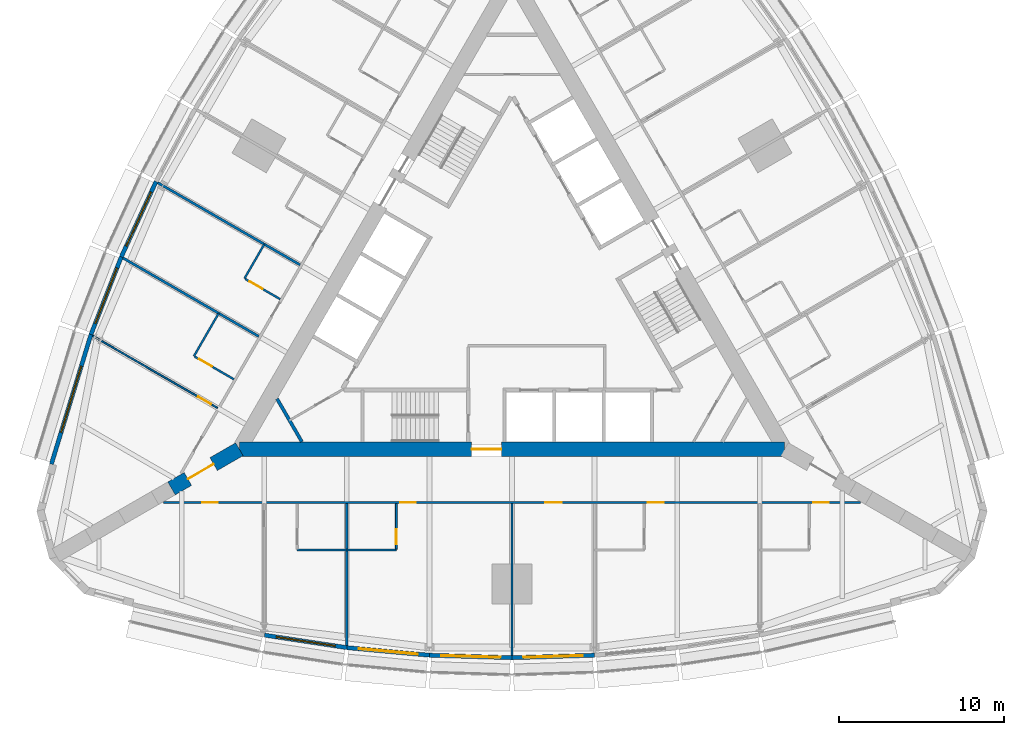
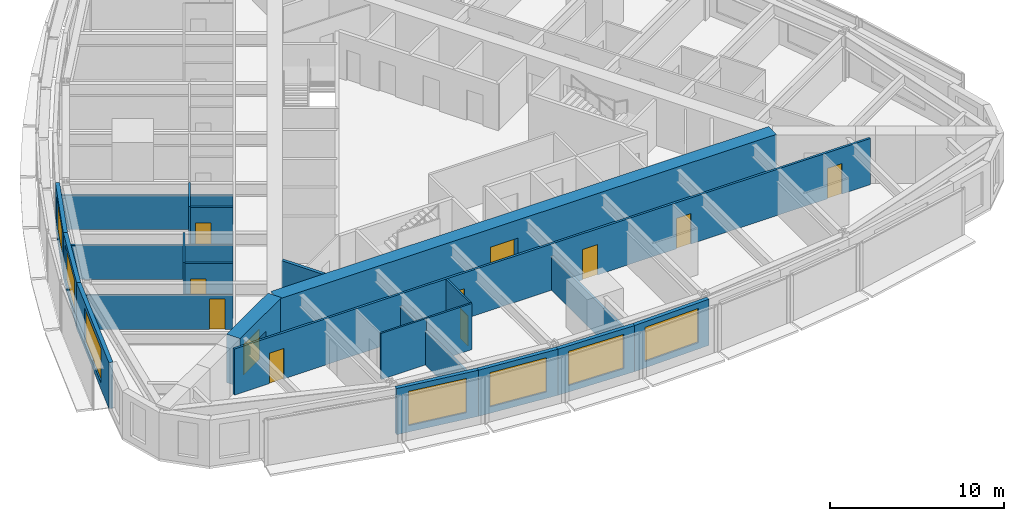
# One storey, part 8 of 14: 23 walls, 11 doors, 7 windows, 18 openings.
"""IFC4 building model written with IfcOpenShell, lengths in metres."""

import ifcopenshell
import ifcopenshell.guid

model = None  # the IFC model being written
_history = None  # IfcOwnerHistory: only IFC2X3 demands one
_inside = {}  # id of a spatial element -> (the spatial element, [elements in it])
_under = {}  # id of a project, library or spatial element -> (it, [spatial elements below it])
_declared = {}  # id of a project -> (the project, [libraries it declares])
_typed = {}  # id of a type object -> (the type object, [elements of that type])
_made_of = {}  # id of a material, layer set ... -> (it, [elements and type objects made of it])


def new_model(schema):
    """Start an empty IFC model of exactly this schema.

    Asked for "IFC4X3", IfcOpenShell would pick the latest addendum, in which some entities
    have other attributes; the version numbers below select the first issue.
    IFC2X3 requires an IfcOwnerHistory on every rooted entity: one is made here for all.
    """
    global model, _history
    if schema == "IFC4X3":
        model = ifcopenshell.file(schema_version=(4, 3, 0, 0))
    else:
        model = ifcopenshell.file(schema=schema)
    _inside.clear()
    _under.clear()
    _declared.clear()
    _typed.clear()
    _made_of.clear()
    _history = None
    if model.schema == "IFC2X3":
        org = make("IfcOrganization", Name="unknown")
        user = make(
            "IfcPersonAndOrganization",
            ThePerson=make("IfcPerson", FamilyName="unknown"),
            TheOrganization=org,
        )
        app = make(
            "IfcApplication",
            ApplicationDeveloper=org,
            Version="unknown",
            ApplicationFullName="unknown",
            ApplicationIdentifier="unknown",
        )
        _history = make(
            "IfcOwnerHistory",
            OwningUser=user,
            OwningApplication=app,
            ChangeAction="ADDED",
            CreationDate=0,
        )
    return model


def make(cls, **values):
    """One entity of the class cls with the attributes given. An attribute that is None is left unset."""
    return model.create_entity(
        cls, **{name: value for name, value in values.items() if value is not None}
    )


def rooted(cls, **values):
    """An entity with a GlobalId (a new one), such as an element, a storey or a relation."""
    return make(cls, GlobalId=ifcopenshell.guid.new(), OwnerHistory=_history, **values)


def si_unit(unit_type, name, prefix=None):
    """IfcSIUnit, for example si_unit("LENGTHUNIT", "METRE", prefix="MILLI")."""
    return make("IfcSIUnit", UnitType=unit_type, Prefix=prefix, Name=name)


def assignment(units):
    """IfcUnitAssignment: the units of a project."""
    return None if units is None else make("IfcUnitAssignment", Units=units)


def point(xyz):
    """IfcCartesianPoint."""
    return None if xyz is None else make("IfcCartesianPoint", Coordinates=xyz)


def direction(xyz):
    """IfcDirection."""
    return None if xyz is None else make("IfcDirection", DirectionRatios=xyz)


def frame(location, z_axis=None, x_axis=None):
    """IfcAxis2Placement3D, a coordinate frame: its origin and axes. An axis left out is left unset."""
    return make(
        "IfcAxis2Placement3D",
        Location=point(location),
        Axis=direction(z_axis),
        RefDirection=direction(x_axis),
    )


def frame_2d(location, x_axis=None):
    """IfcAxis2Placement2D, a coordinate frame in the plane: its origin and x axis."""
    return make(
        "IfcAxis2Placement2D", Location=point(location), RefDirection=direction(x_axis)
    )


def origin():
    """The frame at (0, 0, 0) with its axes left unset."""
    return frame((0.0, 0.0, 0.0))


def place(relative_to, where):
    """IfcLocalPlacement: puts the frame where relative to a parent placement (None: the world)."""
    return make(
        "IfcLocalPlacement", PlacementRelTo=relative_to, RelativePlacement=where
    )


def context(
    kind, dimensions, precision=None, world=None, true_north=None, identifier=None
):
    """IfcGeometricRepresentationContext, for example the 3D "Model" context."""
    return make(
        "IfcGeometricRepresentationContext",
        ContextIdentifier=identifier,
        ContextType=kind,
        CoordinateSpaceDimension=dimensions,
        Precision=precision,
        WorldCoordinateSystem=world,
        TrueNorth=true_north,
    )


def subcontext(parent, identifier, kind, view, scale=None):
    """IfcGeometricRepresentationSubContext, for example "Body" below "Model"."""
    return make(
        "IfcGeometricRepresentationSubContext",
        ContextIdentifier=identifier,
        ContextType=kind,
        ParentContext=parent,
        TargetScale=scale,
        TargetView=view,
    )


def project(units=None, contexts=None):
    """IfcProject with its units and contexts."""
    return rooted(
        "IfcProject",
        Name="project",
        RepresentationContexts=contexts,
        UnitsInContext=assignment(units),
    )


def spatial(cls, under=None, at=None, **own):
    """A site, building, storey or space (cls), placed at a placement, below another one or the project."""
    s = rooted(cls, ObjectPlacement=at, **own)
    if under is not None:
        _under.setdefault(under.id(), (under, []))[1].append(s)
    return s


def profile(cls, at=None, kind="AREA", **sizes):
    """A parametric profile (cls). Its sizes go by their IFC names, for example OverallWidth=200.0."""
    return make(cls, ProfileType=kind, Position=at, **sizes)


def rectangle(**sizes):
    """IfcRectangleProfileDef."""
    return profile("IfcRectangleProfileDef", **sizes)


def extrude(swept, where, along, depth):
    """IfcExtrudedAreaSolid: the profile swept, set in the frame where, extruded along a direction by depth."""
    return make(
        "IfcExtrudedAreaSolid",
        SweptArea=swept,
        Position=where,
        ExtrudedDirection=direction(along),
        Depth=depth,
    )


def shape(context_of_items, identifier, shape_type, items):
    """IfcShapeRepresentation: the items that make up one representation, for example the "Body"."""
    return make(
        "IfcShapeRepresentation",
        ContextOfItems=context_of_items,
        RepresentationIdentifier=identifier,
        RepresentationType=shape_type,
        Items=items,
    )


def material(Name=None, Category=None):
    """IfcMaterial."""
    return make("IfcMaterial", Name=Name, Category=Category)


def layer(
    of_material, thickness, ventilated=None, Name=None, Category=None, Priority=None
):
    """IfcMaterialLayer: one layer of a wall or slab, of a material (None: an air gap)."""
    return make(
        "IfcMaterialLayer",
        Material=of_material,
        LayerThickness=thickness,
        IsVentilated=ventilated,
        Name=Name,
        Category=Category,
        Priority=Priority,
    )


def layer_set(layers, Name=None):
    """IfcMaterialLayerSet."""
    return make("IfcMaterialLayerSet", MaterialLayers=layers, LayerSetName=Name)


def made_of(thing, what):
    """Note that an element or type object is made of a material, layer set ...; save() writes the relation."""
    if what is not None:
        _made_of.setdefault(what.id(), (what, []))[1].append(thing)
    return thing


def type_object(cls, material=None, **own):
    """A type object (cls), such as IfcWallType, which elements share."""
    return made_of(rooted(cls, **own), material)


def element(
    cls,
    number,
    at=None,
    inside=None,
    cuts=None,
    type_object=None,
    material=None,
    context=None,
    identifier="Body",
    shape_type=None,
    held_by="IfcProductDefinitionShape",
    body=None,
    shapes=None,
    **own,
):
    """One element of the class cls, such as IfcWall. Its Tag is "e" and its number.

    at: its placement. inside: the storey or other place that contains it. cuts: it is an
    opening in that element (IfcRelVoidsElement). A single representation is given by context,
    identifier, shape_type and body (its items); several are given by shapes. held_by: the class
    of the entity that holds the representations. save() writes the other relations.
    """
    e = rooted(cls, Tag="e%d" % number, ObjectPlacement=at, **own)
    if body is not None:
        shapes = [shape(context, identifier, shape_type, body)]
    if shapes is not None:
        e.Representation = make(held_by, Representations=shapes)
    if inside is not None:
        _inside.setdefault(inside.id(), (inside, []))[1].append(e)
    if cuts is not None:
        rooted(
            "IfcRelVoidsElement", RelatingBuildingElement=cuts, RelatedOpeningElement=e
        )
    if type_object is not None:
        _typed.setdefault(type_object.id(), (type_object, []))[1].append(e)
    return made_of(e, material)


def fill(opening, filler):
    """IfcRelFillsElement: the door or window that sits in an opening."""
    return rooted(
        "IfcRelFillsElement",
        RelatingOpeningElement=opening,
        RelatedBuildingElement=filler,
    )


def aggregate(whole, parts):
    """IfcRelAggregates: a whole, such as a stair, and the parts it consists of."""
    return rooted("IfcRelAggregates", RelatingObject=whole, RelatedObjects=parts)


def save(model, path):
    """Write the relations noted so far, then the file.

    IfcRelAggregates (storeys below a building ...), IfcRelContainedInSpatialStructure (elements
    in a storey), IfcRelDefinesByType, IfcRelAssociatesMaterial and IfcRelDeclares: one each for
    every whole, place, type object, material and project.
    """
    for whole, parts in _under.values():
        aggregate(whole, parts)
    for where, things in _inside.values():
        rooted(
            "IfcRelContainedInSpatialStructure",
            RelatedElements=things,
            RelatingStructure=where,
        )
    for kind, things in _typed.values():
        rooted("IfcRelDefinesByType", RelatedObjects=things, RelatingType=kind)
    for what, things in _made_of.values():
        rooted("IfcRelAssociatesMaterial", RelatedObjects=things, RelatingMaterial=what)
    for by, libraries in _declared.values():
        rooted("IfcRelDeclares", RelatingContext=by, RelatedDefinitions=libraries)
    model.write(path)


model = new_model("IFC4")

# Units and contexts
model_context = context("Model", 3, precision=1e-05, world=origin(), true_north=direction((0.0, 1.0)))
body_context = subcontext(model_context, "Body", "Model", "MODEL_VIEW")
ifc_project = project(units=[si_unit("LENGTHUNIT", "METRE"), si_unit("AREAUNIT", "SQUARE_METRE"), si_unit("VOLUMEUNIT", "CUBIC_METRE"), si_unit("PLANEANGLEUNIT", "RADIAN"), si_unit("MASSUNIT", "GRAM", prefix="KILO")], contexts=[model_context])

# Site, building, storey
site_placement = place(None, origin())
site = spatial("IfcSite", under=ifc_project, at=site_placement, CompositionType="ELEMENT")
building_placement = place(site_placement, origin())
building = spatial("IfcBuilding", under=site, at=building_placement, Name="Trikona Tower", CompositionType="ELEMENT")
storey_placement = place(building_placement, frame((0.0, 0.0, 52.300048828125)))
storey = spatial("IfcBuildingStorey", under=building, at=storey_placement, Name="L12", CompositionType="ELEMENT", Elevation=52.300048828125)

# Walls
ifc_material_1 = material(Name="Metal stud and cement board", Category="gypsum")
ifc_layer_1 = layer(ifc_material_1, 0.1201171875)
ifc_layer_set_1 = layer_set([ifc_layer_1], Name="Bathroom wall 120")
wall_type_1 = type_object("IfcWallType", Name="Bathroom wall 120", PredefinedType="PLUMBINGWALL", material=ifc_layer_set_1)
for number, where, z_axis, x_axis, name in (
    (1, (-13.0, -15.626220703125, 0.0), (0.0, 0.0, 1.0), (1.0, 0.0, 0.0), "Bathroom wall 1201.1"),
    (2, (-10.0, -15.626220703125, 0.0), (0.0, 0.0, 1.0), (1.0, 0.0, 0.0), "Bathroom wall 1202"),
):
    element("IfcWall", number, at=place(storey_placement, frame(where, z_axis=z_axis, x_axis=x_axis)), inside=storey, type_object=wall_type_1, Name=name, PredefinedType="PLUMBINGWALL", context=body_context, shape_type="SweptSolid", body=[
        extrude(rectangle(XDim=3.0, YDim=0.1201171875, at=frame_2d((1.5, 0.0))), origin(), (0.0, 0.0, 1.0), 3.23486328125),
    ])

# Wall, opening, door
wall_1_placement = place(storey_placement, frame((-7.0, -12.826416015625, 0.0), z_axis=(0.0, 0.0, 1.0), x_axis=(0.0, -1.0, 0.0)))
wall_1 = element("IfcWall", 3, at=wall_1_placement, inside=storey, type_object=wall_type_1, Name="Bathroom wall 1202", PredefinedType="PLUMBINGWALL", context=body_context, shape_type="SweptSolid", body=[
    extrude(rectangle(XDim=2.739990234375, YDim=0.1201171875, at=frame_2d((1.3701171875, 0.0))), origin(), (0.0, 0.0, 1.0), 3.23486328125),
])
opening_1_placement = place(wall_1_placement, frame((1.550048828125, 0.0, 0.0)))
opening_1 = element("IfcOpeningElement", 4, at=opening_1_placement, cuts=wall_1, Name="Opening D2", PredefinedType="OPENING", context=body_context, shape_type="SweptSolid", body=[
    extrude(rectangle(XDim=0.89990234375, YDim=2.1298828125, at=frame_2d((0.449951171875, 1.06494140625))), frame((0.0, 0.070068359375, 0.0), z_axis=(0.0, -1.0, 0.0), x_axis=(1.0, 0.0, 0.0)), (0.0, 0.0, 1.0), 0.14013671875),
])
ifc_material_2 = material(Name="Steel door frame with solid-core timber leaf", Category="steel")
door_type_1 = type_object("IfcDoorType", Name="Bathroom door 900x2130", OperationType="SLIDING_TO_LEFT", PredefinedType="DOOR", material=ifc_material_2)
door_1_placement = place(opening_1_placement, origin())
door_1 = element("IfcDoor", 5, at=door_1_placement, inside=storey, type_object=door_type_1, Name="Bathroom door 1202", OperationType="SLIDING_TO_LEFT", OverallHeight=2.1298828125, OverallWidth=0.89990234375, PredefinedType="DOOR", context=body_context, shape_type="SweptSolid", body=[
    extrude(rectangle(XDim=0.89990234375, YDim=2.1298828125, at=frame_2d((0.449951171875, 1.06494140625))), frame((0.0, 0.02490234375, 0.0), z_axis=(0.0, -1.0, 0.0), x_axis=(1.0, 0.0, 0.0)), (0.0, 0.0, 1.0), 0.050048828125),
])
fill(opening_1, door_1)

# Wall
wall_2_placement = place(storey_placement, frame((-14.993408203125, 2.883056640625, 0.0), z_axis=(0.0, 0.0, 1.0), x_axis=(-0.500077600433, -0.865980596518, 0.0)))
element("IfcWall", 6, at=wall_2_placement, inside=storey, type_object=wall_type_1, Name="Bathroom wall 1215", PredefinedType="PLUMBINGWALL", context=body_context, shape_type="SweptSolid", body=[
    extrude(rectangle(XDim=2.39990234375, YDim=0.1201171875, at=frame_2d((1.199951171875, 0.0))), origin(), (0.0, 0.0, 1.0), 3.23486328125),
])

# Wall, opening, door
wall_3_placement = place(storey_placement, frame((-14.028564453125, -0.4453125, 0.0), z_axis=(0.0, 0.0, 1.0), x_axis=(-0.866023955769, 0.500002508028, 0.0)))
wall_3 = element("IfcWall", 7, at=wall_3_placement, inside=storey, type_object=wall_type_1, Name="Bathroom wall 1215", PredefinedType="PLUMBINGWALL", context=body_context, shape_type="SweptSolid", body=[
    extrude(rectangle(XDim=2.43994140625, YDim=0.1201171875, at=frame_2d((1.219970703125, 0.0))), origin(), (0.0, 0.0, 1.0), 3.23486328125),
])
opening_2_placement = place(wall_3_placement, frame((1.25, 0.0, 0.0)))
opening_2 = element("IfcOpeningElement", 8, at=opening_2_placement, cuts=wall_3, Name="Opening D2", PredefinedType="OPENING", context=body_context, shape_type="SweptSolid", body=[
    extrude(rectangle(XDim=0.89990234375, YDim=2.1298828125, at=frame_2d((0.449951171875, 1.06494140625))), frame((0.0, 0.070068359375, 0.0), z_axis=(0.0, -1.0, 0.0), x_axis=(1.0, 0.0, 0.0)), (0.0, 0.0, 1.0), 0.14013671875),
])
door_2_placement = place(opening_2_placement, origin())
door_2 = element("IfcDoor", 9, at=door_2_placement, inside=storey, type_object=door_type_1, Name="Bathroom door 1215", OperationType="SLIDING_TO_LEFT", OverallHeight=2.1298828125, OverallWidth=0.89990234375, PredefinedType="DOOR", context=body_context, shape_type="SweptSolid", body=[
    extrude(rectangle(XDim=0.89990234375, YDim=2.1298828125, at=frame_2d((0.449951171875, 1.06494140625))), frame((0.0, 0.02490234375, 0.0), z_axis=(0.0, -1.0, 0.0), x_axis=(1.0, 0.0, 0.0)), (0.0, 0.0, 1.0), 0.050048828125),
])
fill(opening_2, door_2)

# Wall
wall_4_placement = place(storey_placement, frame((-17.75341796875, -1.297119140625, 0.0), z_axis=(0.0, 0.0, 1.0), x_axis=(-0.499990139034, -0.866031096941, 0.0)))
element("IfcWall", 10, at=wall_4_placement, inside=storey, type_object=wall_type_1, Name="Bathroom wall 1216.1", PredefinedType="PLUMBINGWALL", context=body_context, shape_type="SweptSolid", body=[
    extrude(rectangle(XDim=3.0, YDim=0.1201171875, at=frame_2d((1.5, 0.0))), origin(), (0.0, 0.0, 1.0), 3.23486328125),
])

# Wall, opening, door
wall_5_placement = place(storey_placement, frame((-16.82861328125, -5.295166015625, 0.0), z_axis=(0.0, 0.0, 1.0), x_axis=(-0.866035715982, 0.499982138324, 0.0)))
wall_5 = element("IfcWall", 11, at=wall_5_placement, inside=storey, type_object=wall_type_1, Name="Bathroom wall 1216.1", PredefinedType="PLUMBINGWALL", context=body_context, shape_type="SweptSolid", body=[
    extrude(rectangle(XDim=2.73974609375, YDim=0.1201171875, at=frame_2d((1.369873046875, 0.0))), origin(), (0.0, 0.0, 1.0), 3.23486328125),
])
opening_3_placement = place(wall_5_placement, frame((1.550048828125, 0.0, 0.0)))
opening_3 = element("IfcOpeningElement", 12, at=opening_3_placement, cuts=wall_5, Name="Opening D2", PredefinedType="OPENING", context=body_context, shape_type="SweptSolid", body=[
    extrude(rectangle(XDim=0.89990234375, YDim=2.1298828125, at=frame_2d((0.449951171875, 1.06494140625))), frame((0.0, 0.070068359375, 0.0), z_axis=(0.0, -1.0, 0.0), x_axis=(1.0, 0.0, 0.0)), (0.0, 0.0, 1.0), 0.14013671875),
])
door_3_placement = place(opening_3_placement, origin())
door_3 = element("IfcDoor", 13, at=door_3_placement, inside=storey, type_object=door_type_1, Name="Bathroom door 1216.1", OperationType="SLIDING_TO_LEFT", OverallHeight=2.1298828125, OverallWidth=0.89990234375, PredefinedType="DOOR", context=body_context, shape_type="SweptSolid", body=[
    extrude(rectangle(XDim=0.89990234375, YDim=2.1298828125, at=frame_2d((0.449951171875, 1.06494140625))), frame((0.0, 0.02490234375, 0.0), z_axis=(0.0, -1.0, 0.0), x_axis=(1.0, 0.0, 0.0)), (0.0, 0.0, 1.0), 0.050048828125),
])
fill(opening_3, door_3)

ifc_material_3 = material(Name="Concrete f'c 10000 psi", Category="concrete")
ifc_layer_2 = layer(ifc_material_3, 0.89990234375)
ifc_layer_set_2 = layer_set([ifc_layer_2], Name="Buttress wall 900")
wall_type_2 = type_object("IfcWallType", Name="Buttress wall 900", PredefinedType="SHEAR", material=ifc_layer_set_2)
wall_6_placement = place(storey_placement, frame((-16.5, -9.5263671875, 0.0), z_axis=(0.0, 0.0, 1.0), x_axis=(-0.866031398331, -0.499989616998, 0.0)))
wall_6 = element("IfcWall", 14, at=wall_6_placement, inside=storey, type_object=wall_type_2, Name="Buttress wall 3", PredefinedType="SHEAR", context=body_context, shape_type="SweptSolid", body=[
    extrude(rectangle(XDim=4.74609375, YDim=0.89990234375, at=frame_2d((2.373046875, 0.0))), origin(), (0.0, 0.0, 1.0), 3.39990234375),
])
opening_4_placement = place(wall_6_placement, frame((1.800048828125, 0.0, 0.0)))
opening_4 = element("IfcOpeningElement", 15, at=opening_4_placement, cuts=wall_6, Name="Opening D10", PredefinedType="OPENING", context=body_context, shape_type="SweptSolid", body=[
    extrude(rectangle(XDim=1.800048828125, YDim=2.1298828125, at=frame_2d((0.89990234375, 1.06494140625))), frame((0.0, 0.4599609375, 0.0), z_axis=(0.0, -1.0, 0.0), x_axis=(1.0, 0.0, 0.0)), (0.0, 0.0, 1.0), 0.919921875),
])
ifc_material_4 = material(Name="Hollow metal door and frame", Category="steel")
door_type_2 = type_object("IfcDoorType", Name="Cross-corridor door pair 1800x2130", OperationType="DOUBLE_DOOR_DOUBLE_SWING", PredefinedType="DOOR", material=ifc_material_4)
door_4_placement = place(opening_4_placement, origin())
door_4 = element("IfcDoor", 16, at=door_4_placement, inside=storey, type_object=door_type_2, Name="Cross-corridor door 3", OperationType="DOUBLE_DOOR_DOUBLE_SWING", OverallHeight=2.1298828125, OverallWidth=1.800048828125, PredefinedType="DOOR", context=body_context, shape_type="SweptSolid", body=[
    extrude(rectangle(XDim=1.800048828125, YDim=2.1298828125, at=frame_2d((0.89990234375, 1.06494140625))), frame((0.0, 0.02490234375, 0.0), z_axis=(0.0, -1.0, 0.0), x_axis=(1.0, 0.0, 0.0)), (0.0, 0.0, 1.0), 0.050048828125),
])
fill(opening_4, door_4)

ifc_material_5 = material(Name="Concrete f'c 10000 psi", Category="concrete")
ifc_layer_3 = layer(ifc_material_5, 0.89990234375)
ifc_layer_set_3 = layer_set([ifc_layer_3], Name="Core wall 900")
wall_type_3 = type_object("IfcWallType", Name="Core wall 900", PredefinedType="SHEAR", material=ifc_layer_set_3)
wall_7_placement = place(storey_placement, frame((-16.5, -9.5263671875, 0.0), z_axis=(0.0, 0.0, 1.0), x_axis=(1.0, 0.0, 0.0)))
wall_7 = element("IfcWall", 17, at=wall_7_placement, inside=storey, type_object=wall_type_3, Name="Core wall A", PredefinedType="SHEAR", context=body_context, shape_type="SweptSolid", body=[
    extrude(rectangle(XDim=33.0, YDim=0.89990234375, at=frame_2d((16.5, 0.0))), origin(), (0.0, 0.0, 1.0), 3.39990234375),
])
opening_5_placement = place(wall_7_placement, frame((14.050048828125, 0.0, 0.0)))
opening_5 = element("IfcOpeningElement", 18, at=opening_5_placement, cuts=wall_7, Name="Opening D6", PredefinedType="OPENING", context=body_context, shape_type="SweptSolid", body=[
    extrude(rectangle(XDim=1.800048828125, YDim=2.1298828125, at=frame_2d((0.89990234375, 1.06494140625))), frame((0.0, 0.4599609375, 0.0), z_axis=(0.0, -1.0, 0.0), x_axis=(1.0, 0.0, 0.0)), (0.0, 0.0, 1.0), 0.919921875),
])
ifc_material_6 = material(Name="Hollow metal door and frame", Category="steel")
door_type_3 = type_object("IfcDoorType", Name="Lobby door pair 1800x2130", OperationType="DOUBLE_DOOR_SINGLE_SWING", PredefinedType="DOOR", material=ifc_material_6)
door_5_placement = place(opening_5_placement, origin())
door_5 = element("IfcDoor", 19, at=door_5_placement, inside=storey, type_object=door_type_3, Name="Fire service lift lobby door", OperationType="DOUBLE_DOOR_SINGLE_SWING", OverallHeight=2.1298828125, OverallWidth=1.800048828125, PredefinedType="DOOR", context=body_context, shape_type="SweptSolid", body=[
    extrude(rectangle(XDim=1.800048828125, YDim=2.1298828125, at=frame_2d((0.89990234375, 1.06494140625))), frame((0.0, 0.02490234375, 0.0), z_axis=(0.0, -1.0, 0.0), x_axis=(1.0, 0.0, 0.0)), (0.0, 0.0, 1.0), 0.050048828125),
])
fill(opening_5, door_5)

# Wall, openings, doors
ifc_material_7 = material(Name="Metal stud and gypsum board, 1-hour", Category="gypsum")
ifc_layer_4 = layer(ifc_material_7, 0.14990234375)
ifc_layer_set_4 = layer_set([ifc_layer_4], Name="Corridor wall 150")
wall_type_4 = type_object("IfcWallType", Name="Corridor wall 150", PredefinedType="PARTITIONING", material=ifc_layer_set_4)
wall_8_placement = place(storey_placement, frame((-21.0859375, -12.751220703125, 0.0), z_axis=(0.0, 0.0, 1.0), x_axis=(1.0, 0.0, 0.0)))
wall_8 = element("IfcWall", 20, at=wall_8_placement, inside=storey, type_object=wall_type_4, Name="Corridor wall L12-1", PredefinedType="PARTITIONING", context=body_context, shape_type="SweptSolid", body=[
    extrude(rectangle(XDim=42.171875, YDim=0.14990234375, at=frame_2d((21.0859375, 0.0))), origin(), (0.0, 0.0, 1.0), 3.23486328125),
])
opening_6_placement = place(wall_8_placement, frame((2.337646484375, 0.0, 0.0)))
opening_6 = element("IfcOpeningElement", 21, at=opening_6_placement, cuts=wall_8, Name="Opening D1", PredefinedType="OPENING", context=body_context, shape_type="SweptSolid", body=[
    extrude(rectangle(XDim=0.949951171875, YDim=2.1298828125, at=frame_2d((0.47509765625, 1.06494140625))), frame((0.0, 0.0849609375, 0.0), z_axis=(0.0, -1.0, 0.0), x_axis=(1.0, 0.0, 0.0)), (0.0, 0.0, 1.0), 0.169921875),
])
opening_7_placement = place(wall_8_placement, frame((14.310791015625, 0.0, 0.0)))
opening_7 = element("IfcOpeningElement", 22, at=opening_7_placement, cuts=wall_8, Name="Opening D1", PredefinedType="OPENING", context=body_context, shape_type="SweptSolid", body=[
    extrude(rectangle(XDim=0.949951171875, YDim=2.1298828125, at=frame_2d((0.47509765625, 1.06494140625))), frame((0.0, 0.0849609375, 0.0), z_axis=(0.0, -1.0, 0.0), x_axis=(1.0, 0.0, 0.0)), (0.0, 0.0, 1.0), 0.169921875),
])
opening_8_placement = place(wall_8_placement, frame((23.0859375, 0.0, 0.0)))
opening_8 = element("IfcOpeningElement", 23, at=opening_8_placement, cuts=wall_8, Name="Opening D3", PredefinedType="OPENING", context=body_context, shape_type="SweptSolid", body=[
    extrude(rectangle(XDim=1.0, YDim=2.1298828125, at=frame_2d((0.5, 1.06494140625))), frame((0.0, 0.0849609375, 0.0), z_axis=(0.0, -1.0, 0.0), x_axis=(1.0, 0.0, 0.0)), (0.0, 0.0, 1.0), 0.169921875),
])
opening_9_placement = place(wall_8_placement, frame((29.310791015625, 0.0, 0.0)))
opening_9 = element("IfcOpeningElement", 24, at=opening_9_placement, cuts=wall_8, Name="Opening D1", PredefinedType="OPENING", context=body_context, shape_type="SweptSolid", body=[
    extrude(rectangle(XDim=0.949951171875, YDim=2.1298828125, at=frame_2d((0.47509765625, 1.06494140625))), frame((0.0, 0.0849609375, 0.0), z_axis=(0.0, -1.0, 0.0), x_axis=(1.0, 0.0, 0.0)), (0.0, 0.0, 1.0), 0.169921875),
])
opening_10_placement = place(wall_8_placement, frame((39.310791015625, 0.0, 0.0)))
opening_10 = element("IfcOpeningElement", 25, at=opening_10_placement, cuts=wall_8, Name="Opening D1", PredefinedType="OPENING", context=body_context, shape_type="SweptSolid", body=[
    extrude(rectangle(XDim=0.949951171875, YDim=2.1298828125, at=frame_2d((0.47509765625, 1.06494140625))), frame((0.0, 0.0849609375, 0.0), z_axis=(0.0, -1.0, 0.0), x_axis=(1.0, 0.0, 0.0)), (0.0, 0.0, 1.0), 0.169921875),
])
ifc_material_8 = material(Name="Steel door frame with solid-core timber leaf", Category="steel")
door_type_4 = type_object("IfcDoorType", Name="Guest room door 950x2130", OperationType="SINGLE_SWING_LEFT", PredefinedType="DOOR", material=ifc_material_8)
door_6_placement = place(opening_6_placement, origin())
door_6 = element("IfcDoor", 26, at=door_6_placement, inside=storey, type_object=door_type_4, Name="Room door 1201", OperationType="SINGLE_SWING_LEFT", OverallHeight=2.1298828125, OverallWidth=0.949951171875, PredefinedType="DOOR", context=body_context, shape_type="SweptSolid", body=[
    extrude(rectangle(XDim=0.949951171875, YDim=2.1298828125, at=frame_2d((0.47509765625, 1.06494140625))), frame((0.0, 0.02490234375, 0.0), z_axis=(0.0, -1.0, 0.0), x_axis=(1.0, 0.0, 0.0)), (0.0, 0.0, 1.0), 0.050048828125),
])
fill(opening_6, door_6)
door_7_placement = place(opening_7_placement, origin())
door_7 = element("IfcDoor", 27, at=door_7_placement, inside=storey, type_object=door_type_4, Name="Room door 1202", OperationType="SINGLE_SWING_RIGHT", OverallHeight=2.1298828125, OverallWidth=0.949951171875, PredefinedType="DOOR", context=body_context, shape_type="SweptSolid", body=[
    extrude(rectangle(XDim=0.949951171875, YDim=2.1298828125, at=frame_2d((0.47509765625, 1.06494140625))), frame((0.0, 0.02490234375, 0.0), z_axis=(0.0, -1.0, 0.0), x_axis=(1.0, 0.0, 0.0)), (0.0, 0.0, 1.0), 0.050048828125),
])
fill(opening_7, door_7)
door_8_placement = place(opening_9_placement, origin())
door_8 = element("IfcDoor", 28, at=door_8_placement, inside=storey, type_object=door_type_4, Name="Room door 1203", OperationType="SINGLE_SWING_RIGHT", OverallHeight=2.1298828125, OverallWidth=0.949951171875, PredefinedType="DOOR", context=body_context, shape_type="SweptSolid", body=[
    extrude(rectangle(XDim=0.949951171875, YDim=2.1298828125, at=frame_2d((0.47509765625, 1.06494140625))), frame((0.0, 0.02490234375, 0.0), z_axis=(0.0, -1.0, 0.0), x_axis=(1.0, 0.0, 0.0)), (0.0, 0.0, 1.0), 0.050048828125),
])
fill(opening_9, door_8)
door_9_placement = place(opening_10_placement, origin())
door_9 = element("IfcDoor", 29, at=door_9_placement, inside=storey, type_object=door_type_4, Name="Room door 1204", OperationType="SINGLE_SWING_RIGHT", OverallHeight=2.1298828125, OverallWidth=0.949951171875, PredefinedType="DOOR", context=body_context, shape_type="SweptSolid", body=[
    extrude(rectangle(XDim=0.949951171875, YDim=2.1298828125, at=frame_2d((0.47509765625, 1.06494140625))), frame((0.0, 0.02490234375, 0.0), z_axis=(0.0, -1.0, 0.0), x_axis=(1.0, 0.0, 0.0)), (0.0, 0.0, 1.0), 0.050048828125),
])
fill(opening_10, door_9)
ifc_material_9 = material(Name="Steel door frame with solid-core timber leaf", Category="steel")
door_type_5 = type_object("IfcDoorType", Name="Room door 1000x2130", OperationType="SINGLE_SWING_LEFT", PredefinedType="DOOR", material=ifc_material_9)
door_10_placement = place(opening_8_placement, origin())
door_10 = element("IfcDoor", 30, at=door_10_placement, inside=storey, type_object=door_type_5, Name="Door Housekeeping pantry", OperationType="SINGLE_SWING_LEFT", OverallHeight=2.1298828125, OverallWidth=1.0, PredefinedType="DOOR", context=body_context, shape_type="SweptSolid", body=[
    extrude(rectangle(XDim=1.0, YDim=2.1298828125, at=frame_2d((0.5, 1.06494140625))), frame((0.0, 0.02490234375, 0.0), z_axis=(0.0, -1.0, 0.0), x_axis=(1.0, 0.0, 0.0)), (0.0, 0.0, 1.0), 0.050048828125),
])
fill(opening_8, door_10)

# Wall, opening, window
ifc_material_10 = material(Name="Insulated precast concrete spandrel panel", Category="concrete")
ifc_layer_5 = layer(ifc_material_10, 0.25)
ifc_layer_set_5 = layer_set([ifc_layer_5], Name="Inner skin wall 250")
wall_type_5 = type_object("IfcWallType", Name="Inner skin wall 250", PredefinedType="STANDARD", material=ifc_layer_set_5)
wall_9_placement = place(storey_placement, frame((-14.981201171875, -20.779296875, 0.0), z_axis=(0.0, 0.0, 1.0), x_axis=(0.988615403399, -0.150464561152, 0.0)))
wall_9 = element("IfcWall", 31, at=wall_9_placement, inside=storey, type_object=wall_type_5, Name="External wall L12-01", PredefinedType="STANDARD", context=body_context, shape_type="SweptSolid", body=[
    extrude(rectangle(XDim=5.0576171875, YDim=0.25, at=frame_2d((2.52880859375, 0.0))), origin(), (0.0, 0.0, 1.0), 3.23486328125),
])
opening_11_placement = place(wall_9_placement, frame((0.728759765625, 0.0, 0.449951171875)))
opening_11 = element("IfcOpeningElement", 32, at=opening_11_placement, cuts=wall_9, Name="Opening W3624", PredefinedType="OPENING", context=body_context, shape_type="SweptSolid", body=[
    extrude(rectangle(XDim=3.60009765625, YDim=2.39990234375, at=frame_2d((1.800048828125, 1.199951171875))), frame((0.0, 0.135009765625, 0.0), z_axis=(0.0, -1.0, 0.0), x_axis=(1.0, 0.0, 0.0)), (0.0, 0.0, 1.0), 0.27001953125),
])
ifc_material_11 = material(Name="Aluminium-framed double glazing", Category="aluminium")
window_type_1 = type_object("IfcWindowType", Name="Window 3600x2400", PartitioningType="SINGLE_PANEL", PredefinedType="WINDOW", material=ifc_material_11)
window_1_placement = place(opening_11_placement, origin())
window_1 = element("IfcWindow", 33, at=window_1_placement, inside=storey, type_object=window_type_1, Name="Window 1201.1", OverallHeight=2.39990234375, OverallWidth=3.60009765625, PartitioningType="SINGLE_PANEL", PredefinedType="WINDOW", context=body_context, shape_type="SweptSolid", body=[
    extrude(rectangle(XDim=3.60009765625, YDim=2.39990234375, at=frame_2d((1.800048828125, 1.199951171875))), frame((0.0, 0.030029296875, 0.0), z_axis=(0.0, -1.0, 0.0), x_axis=(1.0, 0.0, 0.0)), (0.0, 0.0, 1.0), 0.06005859375),
])
fill(opening_11, window_1)

wall_10_placement = place(storey_placement, frame((-9.988525390625, -21.539306640625, 0.0), z_axis=(0.0, 0.0, 1.0), x_axis=(0.995857256774, -0.090930325692, 0.0)))
wall_10 = element("IfcWall", 34, at=wall_10_placement, inside=storey, type_object=wall_type_5, Name="External wall L12-02", PredefinedType="STANDARD", context=body_context, shape_type="SweptSolid", body=[
    extrude(rectangle(XDim=5.020751953125, YDim=0.25, at=frame_2d((2.51025390625, 0.0))), origin(), (0.0, 0.0, 1.0), 3.23486328125),
])
opening_12_placement = place(wall_10_placement, frame((0.71044921875, 0.0, 0.449951171875)))
opening_12 = element("IfcOpeningElement", 35, at=opening_12_placement, cuts=wall_10, Name="Opening W3624", PredefinedType="OPENING", context=body_context, shape_type="SweptSolid", body=[
    extrude(rectangle(XDim=3.60009765625, YDim=2.39990234375, at=frame_2d((1.800048828125, 1.199951171875))), frame((0.0, 0.135009765625, 0.0), z_axis=(0.0, -1.0, 0.0), x_axis=(1.0, 0.0, 0.0)), (0.0, 0.0, 1.0), 0.27001953125),
])
window_2_placement = place(opening_12_placement, origin())
window_2 = element("IfcWindow", 36, at=window_2_placement, inside=storey, type_object=window_type_1, Name="Window 1202", OverallHeight=2.39990234375, OverallWidth=3.60009765625, PartitioningType="SINGLE_PANEL", PredefinedType="WINDOW", context=body_context, shape_type="SweptSolid", body=[
    extrude(rectangle(XDim=3.60009765625, YDim=2.39990234375, at=frame_2d((1.800048828125, 1.199951171875))), frame((0.0, 0.030029296875, 0.0), z_axis=(0.0, -1.0, 0.0), x_axis=(1.0, 0.0, 0.0)), (0.0, 0.0, 1.0), 0.06005859375),
])
fill(opening_12, window_2)

wall_11_placement = place(storey_placement, frame((-4.99609375, -21.99560546875, 0.0), z_axis=(0.0, 0.0, 1.0), x_axis=(0.999537635046, -0.030405856769, 0.0)))
wall_11 = element("IfcWall", 37, at=wall_11_placement, inside=storey, type_object=wall_type_5, Name="External wall L12-03", PredefinedType="STANDARD", context=body_context, shape_type="SweptSolid", body=[
    extrude(rectangle(XDim=5.002197265625, YDim=0.25, at=frame_2d((2.5009765625, 0.0))), origin(), (0.0, 0.0, 1.0), 3.23486328125),
])
opening_13_placement = place(wall_11_placement, frame((0.701171875, 0.0, 0.449951171875)))
opening_13 = element("IfcOpeningElement", 38, at=opening_13_placement, cuts=wall_11, Name="Opening W3624", PredefinedType="OPENING", context=body_context, shape_type="SweptSolid", body=[
    extrude(rectangle(XDim=3.60009765625, YDim=2.39990234375, at=frame_2d((1.800048828125, 1.199951171875))), frame((0.0, 0.135009765625, 0.0), z_axis=(0.0, -1.0, 0.0), x_axis=(1.0, 0.0, 0.0)), (0.0, 0.0, 1.0), 0.27001953125),
])
window_3_placement = place(opening_13_placement, origin())
window_3 = element("IfcWindow", 39, at=window_3_placement, inside=storey, type_object=window_type_1, Name="Window 1202", OverallHeight=2.39990234375, OverallWidth=3.60009765625, PartitioningType="SINGLE_PANEL", PredefinedType="WINDOW", context=body_context, shape_type="SweptSolid", body=[
    extrude(rectangle(XDim=3.60009765625, YDim=2.39990234375, at=frame_2d((1.800048828125, 1.199951171875))), frame((0.0, 0.030029296875, 0.0), z_axis=(0.0, -1.0, 0.0), x_axis=(1.0, 0.0, 0.0)), (0.0, 0.0, 1.0), 0.06005859375),
])
fill(opening_13, window_3)

wall_12_placement = place(storey_placement, frame((-0.00390625, -22.147705078125, 0.0), z_axis=(0.0, 0.0, 1.0), x_axis=(0.999537635046, 0.030405856769, 0.0)))
wall_12 = element("IfcWall", 40, at=wall_12_placement, inside=storey, type_object=wall_type_5, Name="External wall L12-04", PredefinedType="STANDARD", context=body_context, shape_type="SweptSolid", body=[
    extrude(rectangle(XDim=5.002197265625, YDim=0.25, at=frame_2d((2.5009765625, 0.0))), origin(), (0.0, 0.0, 1.0), 3.23486328125),
])
opening_14_placement = place(wall_12_placement, frame((0.701171875, 0.0, 0.449951171875)))
opening_14 = element("IfcOpeningElement", 41, at=opening_14_placement, cuts=wall_12, Name="Opening W3624", PredefinedType="OPENING", context=body_context, shape_type="SweptSolid", body=[
    extrude(rectangle(XDim=3.60009765625, YDim=2.39990234375, at=frame_2d((1.800048828125, 1.199951171875))), frame((0.0, 0.135009765625, 0.0), z_axis=(0.0, -1.0, 0.0), x_axis=(1.0, 0.0, 0.0)), (0.0, 0.0, 1.0), 0.27001953125),
])
window_4_placement = place(opening_14_placement, origin())
window_4 = element("IfcWindow", 42, at=window_4_placement, inside=storey, type_object=window_type_1, Name="Window L12-HKP", OverallHeight=2.39990234375, OverallWidth=3.60009765625, PartitioningType="SINGLE_PANEL", PredefinedType="WINDOW", context=body_context, shape_type="SweptSolid", body=[
    extrude(rectangle(XDim=3.60009765625, YDim=2.39990234375, at=frame_2d((1.800048828125, 1.199951171875))), frame((0.0, 0.030029296875, 0.0), z_axis=(0.0, -1.0, 0.0), x_axis=(1.0, 0.0, 0.0)), (0.0, 0.0, 1.0), 0.06005859375),
])
fill(opening_14, window_4)

wall_13_placement = place(storey_placement, frame((-21.543212890625, 6.677734375, 0.0), z_axis=(0.0, 0.0, 1.0), x_axis=(-0.419203100754, -0.907892482796, 0.0)))
wall_13 = element("IfcWall", 43, at=wall_13_placement, inside=storey, type_object=wall_type_5, Name="External wall L12-29", PredefinedType="STANDARD", context=body_context, shape_type="SweptSolid", body=[
    extrude(rectangle(XDim=5.020751953125, YDim=0.25, at=frame_2d((2.51025390625, 0.0))), origin(), (0.0, 0.0, 1.0), 3.23486328125),
])
opening_15_placement = place(wall_13_placement, frame((0.71044921875, 0.0, 0.449951171875)))
opening_15 = element("IfcOpeningElement", 44, at=opening_15_placement, cuts=wall_13, Name="Opening W3624", PredefinedType="OPENING", context=body_context, shape_type="SweptSolid", body=[
    extrude(rectangle(XDim=3.60009765625, YDim=2.39990234375, at=frame_2d((1.800048828125, 1.199951171875))), frame((0.0, 0.135009765625, 0.0), z_axis=(0.0, -1.0, 0.0), x_axis=(1.0, 0.0, 0.0)), (0.0, 0.0, 1.0), 0.27001953125),
])
window_5_placement = place(opening_15_placement, origin())
window_5 = element("IfcWindow", 45, at=window_5_placement, inside=storey, type_object=window_type_1, Name="Window 1215", OverallHeight=2.39990234375, OverallWidth=3.60009765625, PartitioningType="SINGLE_PANEL", PredefinedType="WINDOW", context=body_context, shape_type="SweptSolid", body=[
    extrude(rectangle(XDim=3.60009765625, YDim=2.39990234375, at=frame_2d((1.800048828125, 1.199951171875))), frame((0.0, 0.030029296875, 0.0), z_axis=(0.0, -1.0, 0.0), x_axis=(1.0, 0.0, 0.0)), (0.0, 0.0, 1.0), 0.06005859375),
])
fill(opening_15, window_5)

wall_14_placement = place(storey_placement, frame((-23.64501953125, 2.126220703125, 0.0), z_axis=(0.0, 0.0, 1.0), x_axis=(-0.364013463868, -0.931393685894, 0.0)))
wall_14 = element("IfcWall", 46, at=wall_14_placement, inside=storey, type_object=wall_type_5, Name="External wall L12-30", PredefinedType="STANDARD", context=body_context, shape_type="SweptSolid", body=[
    extrude(rectangle(XDim=5.0576171875, YDim=0.25, at=frame_2d((2.52880859375, 0.0))), origin(), (0.0, 0.0, 1.0), 3.23486328125),
])
opening_16_placement = place(wall_14_placement, frame((0.728759765625, 0.0, 0.449951171875)))
opening_16 = element("IfcOpeningElement", 47, at=opening_16_placement, cuts=wall_14, Name="Opening W3624", PredefinedType="OPENING", context=body_context, shape_type="SweptSolid", body=[
    extrude(rectangle(XDim=3.60009765625, YDim=2.39990234375, at=frame_2d((1.800048828125, 1.199951171875))), frame((0.0, 0.135009765625, 0.0), z_axis=(0.0, -1.0, 0.0), x_axis=(1.0, 0.0, 0.0)), (0.0, 0.0, 1.0), 0.27001953125),
])
window_6_placement = place(opening_16_placement, origin())
window_6 = element("IfcWindow", 48, at=window_6_placement, inside=storey, type_object=window_type_1, Name="Window 1216.1", OverallHeight=2.39990234375, OverallWidth=3.60009765625, PartitioningType="SINGLE_PANEL", PredefinedType="WINDOW", context=body_context, shape_type="SweptSolid", body=[
    extrude(rectangle(XDim=3.60009765625, YDim=2.39990234375, at=frame_2d((1.800048828125, 1.199951171875))), frame((0.0, 0.030029296875, 0.0), z_axis=(0.0, -1.0, 0.0), x_axis=(1.0, 0.0, 0.0)), (0.0, 0.0, 1.0), 0.06005859375),
])
fill(opening_16, window_6)

wall_15_placement = place(storey_placement, frame((-25.48291015625, -2.575439453125, 0.0), z_axis=(0.0, 0.0, 1.0), x_axis=(-0.2919790669, -0.956424709265, 0.0)))
wall_15 = element("IfcWall", 49, at=wall_15_placement, inside=storey, type_object=wall_type_5, Name="External wall L12-31", PredefinedType="STANDARD", context=body_context, shape_type="SweptSolid", body=[
    extrude(rectangle(XDim=8.211181640625, YDim=0.25, at=frame_2d((4.10546875, 0.0))), origin(), (0.0, 0.0, 1.0), 3.23486328125),
])
opening_17_placement = place(wall_15_placement, frame((2.005615234375, 0.0, 0.449951171875)))
opening_17 = element("IfcOpeningElement", 50, at=opening_17_placement, cuts=wall_15, Name="Opening W4224", PredefinedType="OPENING", context=body_context, shape_type="SweptSolid", body=[
    extrude(rectangle(XDim=4.199951171875, YDim=2.39990234375, at=frame_2d((2.10009765625, 1.199951171875))), frame((0.0, 0.135009765625, 0.0), z_axis=(0.0, -1.0, 0.0), x_axis=(1.0, 0.0, 0.0)), (0.0, 0.0, 1.0), 0.27001953125),
])
ifc_material_12 = material(Name="Aluminium-framed double glazing", Category="aluminium")
window_type_2 = type_object("IfcWindowType", Name="Window 4200x2400", PartitioningType="SINGLE_PANEL", PredefinedType="WINDOW", material=ifc_material_12)
window_7_placement = place(opening_17_placement, origin())
window_7 = element("IfcWindow", 51, at=window_7_placement, inside=storey, type_object=window_type_2, Name="Window 1216", OverallHeight=2.39990234375, OverallWidth=4.199951171875, PartitioningType="SINGLE_PANEL", PredefinedType="WINDOW", context=body_context, shape_type="SweptSolid", body=[
    extrude(rectangle(XDim=4.199951171875, YDim=2.39990234375, at=frame_2d((2.10009765625, 1.199951171875))), frame((0.0, 0.030029296875, 0.0), z_axis=(0.0, -1.0, 0.0), x_axis=(1.0, 0.0, 0.0)), (0.0, 0.0, 1.0), 0.06005859375),
])
fill(opening_17, window_7)

# Walls
ifc_material_13 = material(Name="Metal stud and gypsum board, 1-hour acoustic", Category="gypsum")
ifc_layer_6 = layer(ifc_material_13, 0.14990234375)
ifc_layer_set_6 = layer_set([ifc_layer_6], Name="Party wall 150")
wall_type_6 = type_object("IfcWallType", Name="Party wall 150", PredefinedType="PARTITIONING", material=ifc_layer_set_6)
wall_16_placement = place(storey_placement, frame((-10.0, -12.826416015625, 0.0), z_axis=(0.0, 0.0, 1.0), x_axis=(0.0, -1.0, 0.0)))
element("IfcWall", 52, at=wall_16_placement, inside=storey, type_object=wall_type_6, Name="Partition L12 F1 u-10", PredefinedType="PARTITIONING", context=body_context, shape_type="SweptSolid", body=[
    extrude(rectangle(XDim=8.58447265625, YDim=0.14990234375, at=frame_2d((4.292236328125, 0.0))), origin(), (0.0, 0.0, 1.0), 2.38916015625),
])
wall_17_placement = place(storey_placement, frame((0.0, -12.826416015625, 0.0), z_axis=(0.0, 0.0, 1.0), x_axis=(0.0, -1.0, 0.0)))
element("IfcWall", 53, at=wall_17_placement, inside=storey, type_object=wall_type_6, Name="Partition L12 F1 u-1.03538e-30", PredefinedType="PARTITIONING", context=body_context, shape_type="SweptSolid", body=[
    extrude(rectangle(XDim=9.196044921875, YDim=0.14990234375, at=frame_2d((4.59814453125, 0.0))), origin(), (0.0, 0.0, 1.0), 2.38916015625),
])
wall_18_placement = place(storey_placement, frame((-12.82861328125, 1.633056640625, 0.0), z_axis=(0.0, 0.0, 1.0), x_axis=(-0.866026934769, 0.499997348248, 0.0)))
element("IfcWall", 54, at=wall_18_placement, inside=storey, type_object=wall_type_6, Name="Partition L12 F3 u5", PredefinedType="PARTITIONING", context=body_context, shape_type="SweptSolid", body=[
    extrude(rectangle(XDim=9.94287109375, YDim=0.14990234375, at=frame_2d((4.971435546875, 0.0))), origin(), (0.0, 0.0, 1.0), 2.38916015625),
])
wall_19_placement = place(storey_placement, frame((-15.32861328125, -2.697021484375, 0.0), z_axis=(0.0, 0.0, 1.0), x_axis=(-0.866018409083, 0.500012114982, 0.0)))
element("IfcWall", 55, at=wall_19_placement, inside=storey, type_object=wall_type_6, Name="Partition L12 F3 u10", PredefinedType="PARTITIONING", context=body_context, shape_type="SweptSolid", body=[
    extrude(rectangle(XDim=9.484619140625, YDim=0.14990234375, at=frame_2d((4.7421875, 0.0))), origin(), (0.0, 0.0, 1.0), 2.38916015625),
])
ifc_material_14 = material(Name="Concrete f'c 8000 psi", Category="concrete")
ifc_layer_7 = layer(ifc_material_14, 0.199951171875)
ifc_layer_set_7 = layer_set([ifc_layer_7], Name="Shaft wall 200")
wall_type_7 = type_object("IfcWallType", Name="Shaft wall 200", PredefinedType="SOLIDWALL", material=ifc_layer_set_7)
wall_20_placement = place(storey_placement, frame((-12.718505859375, -9.076416015625, 0.0), z_axis=(0.0, 0.0, 1.0), x_axis=(-0.499952404951, 0.866052881055, 0.0)))
element("IfcWall", 56, at=wall_20_placement, inside=storey, type_object=wall_type_7, Name="Riser wall L12-RS3", PredefinedType="SOLIDWALL", context=body_context, shape_type="SweptSolid", body=[
    extrude(rectangle(XDim=3.002197265625, YDim=0.199951171875, at=frame_2d((1.5009765625, 0.0))), origin(), (0.0, 0.0, 1.0), 3.23486328125),
])

# Wall, opening, door
ifc_material_15 = material(Name="Metal stud and gypsum board, acoustic", Category="gypsum")
ifc_layer_8 = layer(ifc_material_15, 0.10009765625)
ifc_layer_set_8 = layer_set([ifc_layer_8], Name="Suite partition 100")
wall_type_8 = type_object("IfcWallType", Name="Suite partition 100", PredefinedType="PARTITIONING", material=ifc_layer_set_8)
wall_21_placement = place(storey_placement, frame((-17.82861328125, -7.027099609375, 0.0), z_axis=(0.0, 0.0, 1.0), x_axis=(-0.866032659912, 0.499987431809, 0.0)))
wall_21 = element("IfcWall", 57, at=wall_21_placement, inside=storey, type_object=wall_type_8, Name="Suite partition L12 F3 u15", PredefinedType="PARTITIONING", context=body_context, shape_type="SweptSolid", body=[
    extrude(rectangle(XDim=8.719970703125, YDim=0.10009765625, at=frame_2d((4.35986328125, 0.0))), origin(), (0.0, 0.0, 1.0), 2.38916015625),
])
opening_18_placement = place(wall_21_placement, frame((0.449951171875, 0.0, 0.0)))
opening_18 = element("IfcOpeningElement", 58, at=opening_18_placement, cuts=wall_21, Name="Opening D13", PredefinedType="OPENING", context=body_context, shape_type="SweptSolid", body=[
    extrude(rectangle(XDim=0.89990234375, YDim=2.1298828125, at=frame_2d((0.449951171875, 1.06494140625))), frame((0.0, 0.06005859375, 0.0), z_axis=(0.0, -1.0, 0.0), x_axis=(1.0, 0.0, 0.0)), (0.0, 0.0, 1.0), 0.1201171875),
])
ifc_material_16 = material(Name="Steel door frame with solid-core timber leaf", Category="steel")
door_type_6 = type_object("IfcDoorType", Name="Suite door 900x2130", OperationType="SINGLE_SWING_LEFT", PredefinedType="DOOR", material=ifc_material_16)
door_11_placement = place(opening_18_placement, origin())
door_11 = element("IfcDoor", 59, at=door_11_placement, inside=storey, type_object=door_type_6, Name="Suite door 1216", OperationType="SINGLE_SWING_LEFT", OverallHeight=2.1298828125, OverallWidth=0.89990234375, PredefinedType="DOOR", context=body_context, shape_type="SweptSolid", body=[
    extrude(rectangle(XDim=0.89990234375, YDim=2.1298828125, at=frame_2d((0.449951171875, 1.06494140625))), frame((0.0, 0.02490234375, 0.0), z_axis=(0.0, -1.0, 0.0), x_axis=(1.0, 0.0, 0.0)), (0.0, 0.0, 1.0), 0.050048828125),
])
fill(opening_18, door_11)

save(model, "model.ifc")
